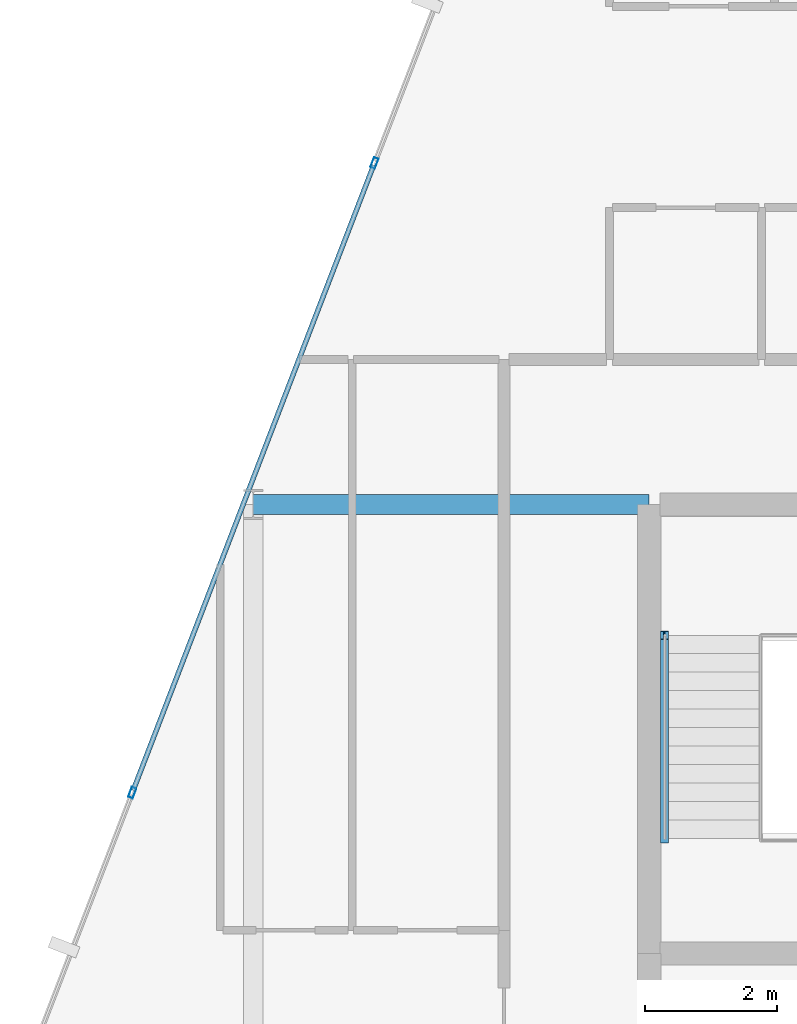
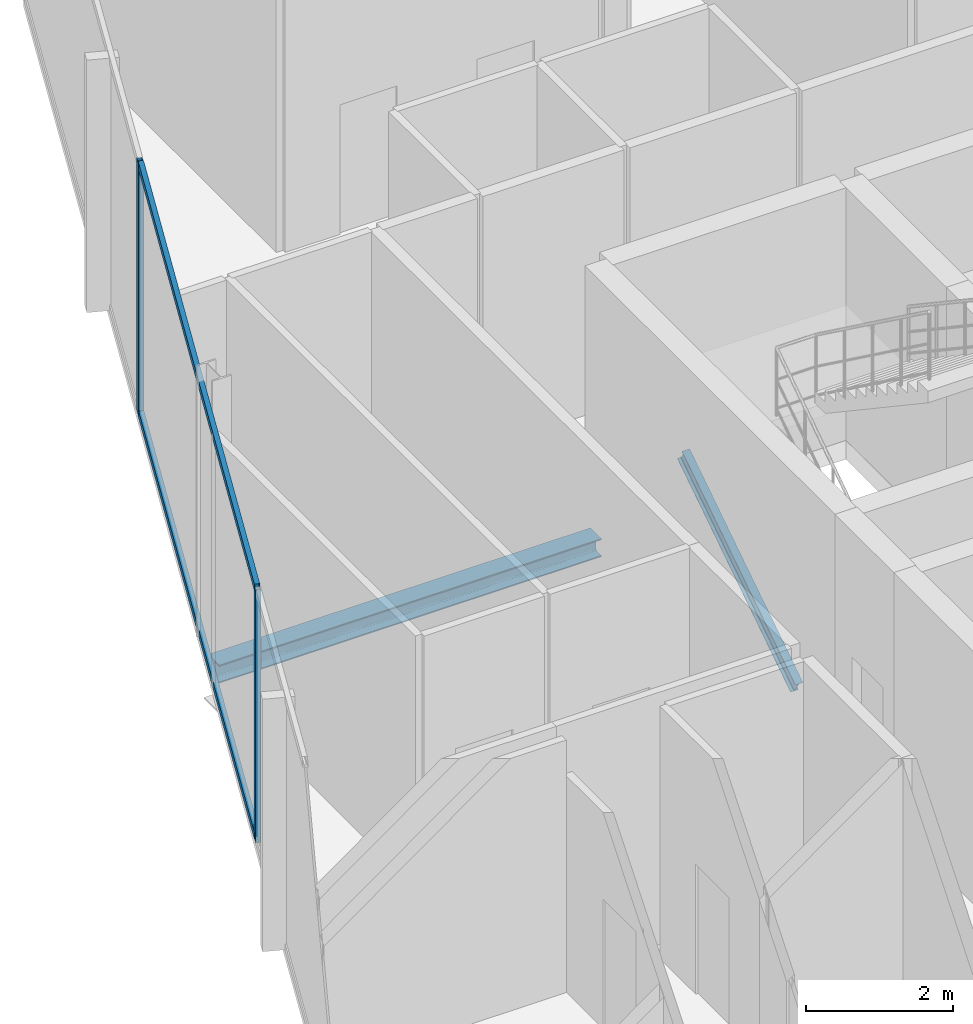
# One storey, part 15 of 28: 5 members, 1 beam, 1 element without a shape of its own.
"""IFC4 building model written with IfcOpenShell, lengths in metres."""

from ifc_helpers import new_model, si_unit, direction, frame, origin, origin_2d, place, context, subcontext, project, spatial, hollow_rectangle, i_section, extrude, material, layer, layer_set, material_profile, profile_set, type_object, element, aggregate, save


model = new_model("IFC4")

# Units and contexts
model_context = context("Model", 3, precision=1e-05, world=origin(), true_north=direction((0.0, 1.0)))
body_context = subcontext(model_context, "Body", "Model", "MODEL_VIEW")
ifc_project = project(units=[si_unit("LENGTHUNIT", "METRE"), si_unit("AREAUNIT", "SQUARE_METRE"), si_unit("VOLUMEUNIT", "CUBIC_METRE"), si_unit("PLANEANGLEUNIT", "RADIAN"), si_unit("MASSUNIT", "GRAM", prefix="KILO")], contexts=[model_context])

# Site, building, storey
site_placement = place(None, origin())
site = spatial("IfcSite", under=ifc_project, at=site_placement, CompositionType="ELEMENT")
building_placement = place(site_placement, origin())
building = spatial("IfcBuilding", under=site, at=building_placement, Name="Keshet Zoharim Tower", CompositionType="ELEMENT")
storey_placement = place(building_placement, frame((0.0, 0.0, 164.60009765625)))
storey = spatial("IfcBuildingStorey", under=building, at=storey_placement, Name="L40", CompositionType="ELEMENT", Elevation=164.60009765625)

# Beam
ifc_material_1 = material(Name="Steel S355", Category="steel")
ifc_material_profile_1 = material_profile(ifc_material_1, i_section(OverallWidth=0.300048828125, OverallDepth=0.300048828125, WebThickness=0.010986328125, FlangeThickness=0.01904296875, FilletRadius=0.027099609375, at=origin_2d()), Name="HEB300")
ifc_profile_set_1 = profile_set([ifc_material_profile_1], Name="Steel S355")
beam_type = type_object("IfcBeamType", Name="BM-PRI-HB300", PredefinedType="BEAM", material=ifc_profile_set_1)
beam_placement = place(storey_placement, frame((9.0, 37.89990234375, -0.460205078125), z_axis=(1.0, 0.0, 0.0), x_axis=(0.0, 1.0, 0.0)))
element("IfcBeam", 1, at=beam_placement, inside=storey, type_object=beam_type, Name="L40 Primary Girder X-017", PredefinedType="BEAM", context=body_context, shape_type="SweptSolid", body=[
    extrude(i_section(OverallWidth=0.300048828125, OverallDepth=0.300048828125, WebThickness=0.010986328125, FlangeThickness=0.01904296875, FilletRadius=0.027099609375, at=origin_2d()), origin(), (0.0, 0.0, 1.0), 6.0),
])

# Curtain wall, members
ifc_material_2 = material(Name="Aluminium 6063-T6", Category="aluminium")
ifc_layer = layer(ifc_material_2, 0.139892578125)
ifc_layer_set = layer_set([ifc_layer], Name="Aluminium 6063-T6")
curtain_wall_type = type_object("IfcCurtainWallType", Name="CW-SYS-05", PredefinedType="NOTDEFINED", material=ifc_layer_set)
curtain_wall_placement = place(storey_placement, origin())
curtain_wall = element("IfcCurtainWall", 2, at=curtain_wall_placement, inside=storey, type_object=curtain_wall_type, Name="L40 Unitised Curtain Wall 13", PredefinedType="NOTDEFINED")
ifc_material_profile_2 = material_profile(ifc_material_2, hollow_rectangle(XDim=0.074951171875, YDim=0.159912109375, WallThickness=0.00390625, at=origin_2d()), Name="MUL-75x160")
ifc_profile_set_2 = profile_set([ifc_material_profile_2], Name="Aluminium 6063-T6")
member_type_1 = type_object("IfcMemberType", Name="CWM-M15", PredefinedType="MULLION", material=ifc_profile_set_2)
member_1_placement = place(storey_placement, frame((7.1669921875, 33.53466796875, 0.0), z_axis=(0.0, 0.0, 1.0), x_axis=(-0.933341404361, 0.358990003907, 0.0)))
member_1 = element("IfcMember", 3, at=member_1_placement, type_object=member_type_1, Name="CW-05 mullion 2", PredefinedType="MULLION", context=body_context, shape_type="SweptSolid", body=[
    extrude(hollow_rectangle(XDim=0.074951171875, YDim=0.159912109375, WallThickness=0.00390625, at=origin_2d()), origin(), (0.0, 0.0, 1.0), 4.18994140625),
])
member_2_placement = place(storey_placement, frame((10.8369140625, 43.076416015625, 0.0), z_axis=(0.0, 0.0, 1.0), x_axis=(-0.933341404361, 0.358990003907, 0.0)))
member_2 = element("IfcMember", 4, at=member_2_placement, type_object=member_type_1, Name="CW-05 mullion 3", PredefinedType="MULLION", context=body_context, shape_type="SweptSolid", body=[
    extrude(hollow_rectangle(XDim=0.074951171875, YDim=0.159912109375, WallThickness=0.00390625, at=origin_2d()), origin(), (0.0, 0.0, 1.0), 4.18994140625),
])
ifc_material_profile_3 = material_profile(ifc_material_2, hollow_rectangle(XDim=0.074951171875, YDim=0.1201171875, WallThickness=0.00390625, at=origin_2d()), Name="TRN-75x120")
ifc_profile_set_3 = profile_set([ifc_material_profile_3], Name="Aluminium 6063-T6")
member_type_2 = type_object("IfcMemberType", Name="CWT-T12", PredefinedType="USERDEFINED", material=ifc_profile_set_3)
member_3_placement = place(storey_placement, frame((7.179443359375, 33.5673828125, 0.034912109375), z_axis=(0.359003248899, 0.933336309848, 0.0), x_axis=(-0.933336309848, 0.359003248899, 0.0)))
member_3 = element("IfcMember", 5, at=member_3_placement, type_object=member_type_2, Name="CW-05 transom 2.1", ObjectType="TRANSOM", PredefinedType="USERDEFINED", context=body_context, shape_type="SweptSolid", body=[
    extrude(hollow_rectangle(XDim=0.074951171875, YDim=0.1201171875, WallThickness=0.00390625, at=origin_2d()), origin(), (0.0, 0.0, 1.0), 10.153076171875),
])
member_4_placement = place(storey_placement, frame((7.179443359375, 33.5673828125, 4.15478515625), z_axis=(0.359003248899, 0.933336309848, 0.0), x_axis=(-0.933336309848, 0.359003248899, 0.0)))
member_4 = element("IfcMember", 6, at=member_4_placement, type_object=member_type_2, Name="CW-05 transom 2.2", ObjectType="TRANSOM", PredefinedType="USERDEFINED", context=body_context, shape_type="SweptSolid", body=[
    extrude(hollow_rectangle(XDim=0.074951171875, YDim=0.1201171875, WallThickness=0.00390625, at=origin_2d()), origin(), (0.0, 0.0, 1.0), 10.153076171875),
])
aggregate(curtain_wall, [member_1, member_2, member_3, member_4])

# Member
ifc_material_profile_4 = material_profile(ifc_material_1, i_section(OverallWidth=0.1201171875, OverallDepth=0.239990234375, WebThickness=0.006103515625, FlangeThickness=0.009765625, FilletRadius=0.014892578125, at=origin_2d()), Name="IPE240")
ifc_profile_set_4 = profile_set([ifc_material_profile_4], Name="Steel S355")
member_type_3 = type_object("IfcMemberType", Name="MB-STRG-IP240", PredefinedType="STRINGER", material=ifc_profile_set_4)
member_5_placement = place(storey_placement, frame((15.22998046875, 32.840087890625, 0.119873046875), z_axis=(0.0, 0.837433587703, 0.546539098498), x_axis=(-1.0, 0.0, 0.0)))
element("IfcMember", 7, at=member_5_placement, inside=storey, type_object=member_type_3, Name="L40 ST-02 Flight Steel Stringer", PredefinedType="STRINGER", context=body_context, shape_type="SweptSolid", body=[
    extrude(i_section(OverallWidth=0.1201171875, OverallDepth=0.239990234375, WebThickness=0.006103515625, FlangeThickness=0.009765625, FilletRadius=0.014892578125, at=origin_2d()), origin(), (0.0, 0.0, 1.0), 3.677734375),
])

save(model, "model.ifc")
